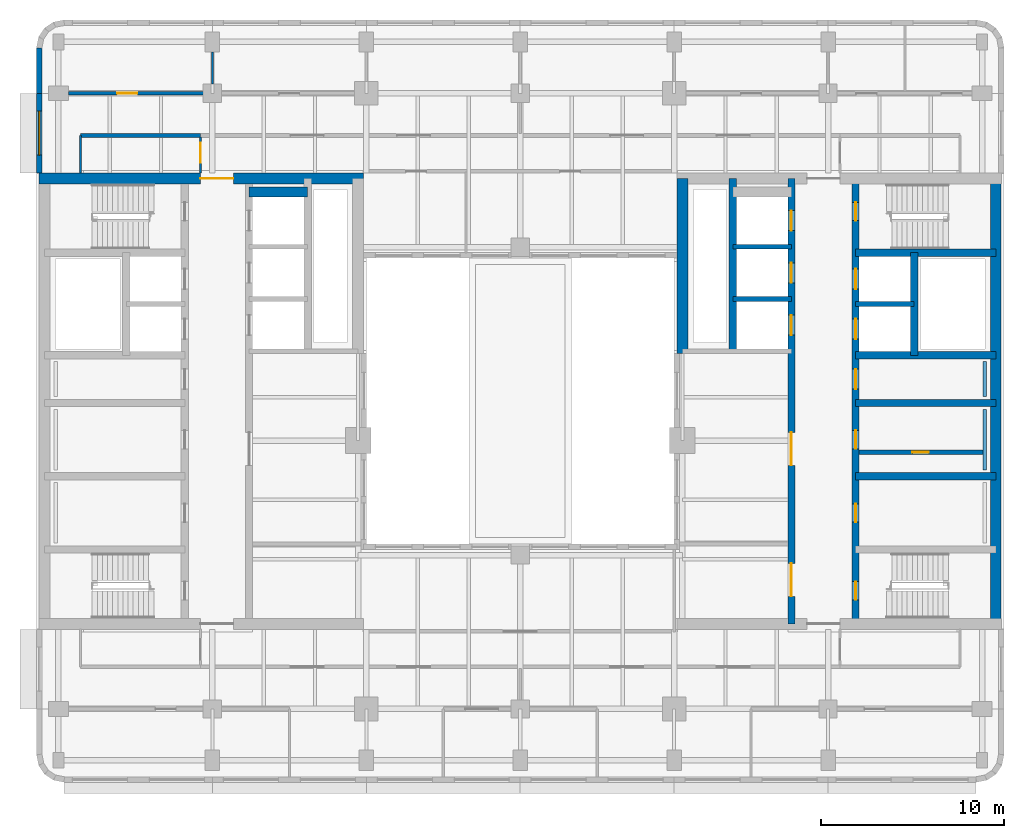
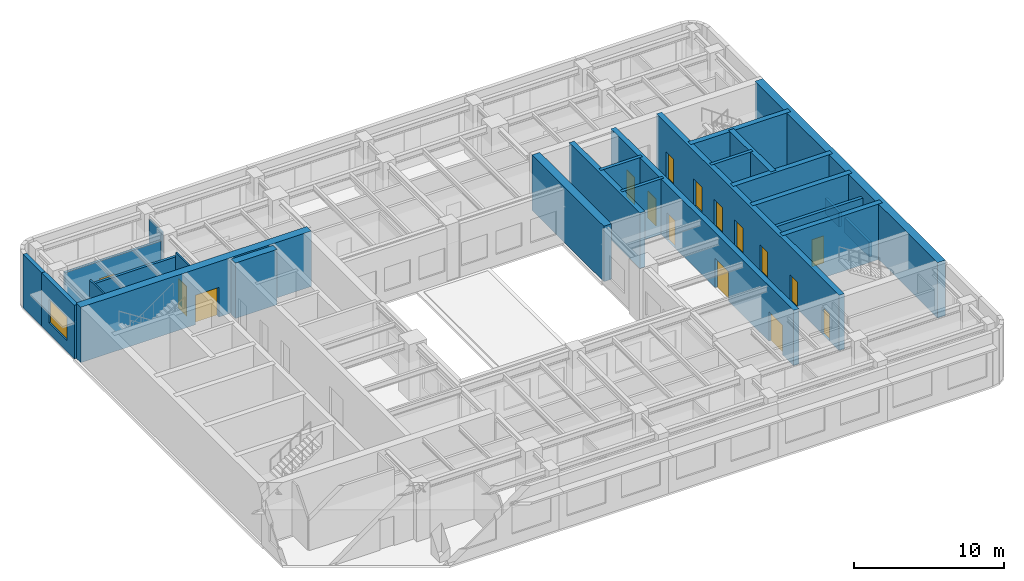
# One storey, part 6 of 11: 25 walls, 16 doors, 1 window, 17 openings.
"""IFC4 building model written with IfcOpenShell, lengths in metres."""

from ifc_helpers import new_model, si_unit, direction, frame, frame_2d, origin, place, context, subcontext, project, spatial, rectangle, extrude, material, layer, layer_set, type_object, element, fill, save


model = new_model("IFC4")

# Units and contexts
model_context = context("Model", 3, precision=1e-05, world=origin(), true_north=direction((0.0, 1.0)))
body_context = subcontext(model_context, "Body", "Model", "MODEL_VIEW")
ifc_project = project(units=[si_unit("LENGTHUNIT", "METRE"), si_unit("AREAUNIT", "SQUARE_METRE"), si_unit("VOLUMEUNIT", "CUBIC_METRE"), si_unit("PLANEANGLEUNIT", "RADIAN"), si_unit("MASSUNIT", "GRAM", prefix="KILO")], contexts=[model_context])

# Site, building, storey
site_placement = place(None, origin())
site = spatial("IfcSite", under=ifc_project, at=site_placement, CompositionType="ELEMENT")
building_placement = place(site_placement, origin())
building = spatial("IfcBuilding", under=site, at=building_placement, Name="Claustro Exchange Tower", CompositionType="ELEMENT")
storey_placement = place(building_placement, frame((0.0, 0.0, 254.699951171875)))
storey = spatial("IfcBuildingStorey", under=building, at=storey_placement, Name="L58", CompositionType="ELEMENT", Elevation=254.699951171875)

# Wall
ifc_material_1 = material(Name="Laminated glass in aluminium frame", Category="aluminium")
ifc_layer_1 = layer(ifc_material_1, 0.1201171875)
ifc_layer_set_1 = layer_set([ifc_layer_1], Name="Laminated glass in aluminium frame")
wall_type_1 = type_object("IfcWallType", Name="P2 120 glazed partition", PredefinedType="PARTITIONING", material=ifc_layer_set_1)
wall_1_placement = place(storey_placement, frame((8.39990234375, 42.4990234375, 0.0), z_axis=(0.0, 0.0, 1.0), x_axis=(0.0, 1.0, 0.0)))
element("IfcWall", 1, at=wall_1_placement, inside=storey, type_object=wall_type_1, Name="Partition P2 L58", PredefinedType="PARTITIONING", context=body_context, shape_type="SweptSolid", body=[
    extrude(rectangle(XDim=1.751953125, YDim=0.1201171875, at=frame_2d((0.8759765625, 0.0))), origin(), (0.0, 0.0, 1.0), 3.989990234375),
])

# Wall, opening, door
wall_2_placement = place(storey_placement, frame((7.75, 37.64794921875, 0.0), z_axis=(0.0, 0.0, 1.0), x_axis=(0.0, 1.0, 0.0)))
wall_2 = element("IfcWall", 2, at=wall_2_placement, inside=storey, type_object=wall_type_1, Name="Partition P2 L58", PredefinedType="PARTITIONING", context=body_context, shape_type="SweptSolid", body=[
    extrude(rectangle(XDim=1.9541015625, YDim=0.1201171875, at=frame_2d((0.97705078125, 0.0))), origin(), (0.0, 0.0, 1.0), 4.35009765625),
])
opening_1_placement = place(wall_2_placement, frame((0.552001953125, 0.0, 0.0)))
opening_1 = element("IfcOpeningElement", 3, at=opening_1_placement, cuts=wall_2, Name="Opening D8", PredefinedType="OPENING", context=body_context, shape_type="SweptSolid", body=[
    extrude(rectangle(XDim=1.10009765625, YDim=2.39990234375, at=frame_2d((0.550048828125, 1.199951171875))), frame((0.0, 0.070068359375, 0.0), z_axis=(0.0, -1.0, 0.0), x_axis=(1.0, 0.0, 0.0)), (0.0, 0.0, 1.0), 0.14013671875),
])
ifc_material_2 = material(Name="Timber door, walnut veneer", Category="wood")
door_type_1 = type_object("IfcDoorType", Name="D8 1100 x 2400 executive door", OperationType="SINGLE_SWING_LEFT", PredefinedType="DOOR", material=ifc_material_2)
door_1_placement = place(opening_1_placement, origin())
door_1 = element("IfcDoor", 4, at=door_1_placement, inside=storey, type_object=door_type_1, Name="Door D8 L58", OperationType="SINGLE_SWING_RIGHT", OverallHeight=2.39990234375, OverallWidth=1.10009765625, PredefinedType="DOOR", context=body_context, shape_type="SweptSolid", body=[
    extrude(rectangle(XDim=1.10009765625, YDim=2.39990234375, at=frame_2d((0.550048828125, 1.199951171875))), frame((0.0, 0.02490234375, 0.0), z_axis=(0.0, -1.0, 0.0), x_axis=(1.0, 0.0, 0.0)), (0.0, 0.0, 1.0), 0.050048828125),
])
fill(opening_1, door_1)

# Wall
wall_3_placement = place(storey_placement, frame((1.199951171875, 37.64794921875, 0.0), z_axis=(0.0, 0.0, 1.0), x_axis=(0.0, 1.0, 0.0)))
element("IfcWall", 5, at=wall_3_placement, inside=storey, type_object=wall_type_1, Name="Partition P2 L58", PredefinedType="PARTITIONING", context=body_context, shape_type="SweptSolid", body=[
    extrude(rectangle(XDim=2.052001953125, YDim=0.1201171875, at=frame_2d((1.02587890625, 0.0))), origin(), (0.0, 0.0, 1.0), 4.35009765625),
])

# Wall, opening, door
ifc_material_3 = material(Name="Twin-skin gypsum board on steel studs, mineral wool", Category="steel")
ifc_layer_2 = layer(ifc_material_3, 0.199951171875)
ifc_layer_set_2 = layer_set([ifc_layer_2], Name="Twin-skin gypsum board on steel studs, mineral wool")
wall_type_2 = type_object("IfcWallType", Name="P3 200 acoustic partition", PredefinedType="PARTITIONING", material=ifc_layer_set_2)
wall_4_placement = place(storey_placement, frame((0.549072265625, 42.0, 0.0), z_axis=(0.0, 0.0, 1.0), x_axis=(1.0, 0.0, 0.0)))
wall_4 = element("IfcWall", 6, at=wall_4_placement, inside=storey, type_object=wall_type_2, Name="Partition P3 L58", PredefinedType="PARTITIONING", context=body_context, shape_type="SweptSolid", body=[
    extrude(rectangle(XDim=7.351806640625, YDim=0.199951171875, at=frame_2d((3.67578125, 0.0))), origin(), (0.0, 0.0, 1.0), 3.800048828125),
])
opening_2_placement = place(wall_4_placement, frame((2.65087890625, 0.0, 0.0)))
opening_2 = element("IfcOpeningElement", 7, at=opening_2_placement, cuts=wall_4, Name="Opening D8", PredefinedType="OPENING", context=body_context, shape_type="SweptSolid", body=[
    extrude(rectangle(XDim=1.10009765625, YDim=2.39990234375, at=frame_2d((0.550048828125, 1.199951171875))), frame((0.0, 0.10986328125, 0.0), z_axis=(0.0, -1.0, 0.0), x_axis=(1.0, 0.0, 0.0)), (0.0, 0.0, 1.0), 0.219970703125),
])
door_2_placement = place(opening_2_placement, origin())
door_2 = element("IfcDoor", 8, at=door_2_placement, inside=storey, type_object=door_type_1, Name="Door D8 L58", OperationType="SINGLE_SWING_RIGHT", OverallHeight=2.39990234375, OverallWidth=1.10009765625, PredefinedType="DOOR", context=body_context, shape_type="SweptSolid", body=[
    extrude(rectangle(XDim=1.10009765625, YDim=2.39990234375, at=frame_2d((0.550048828125, 1.199951171875))), frame((0.0, 0.02490234375, 0.0), z_axis=(0.0, -1.0, 0.0), x_axis=(1.0, 0.0, 0.0)), (0.0, 0.0, 1.0), 0.050048828125),
])
fill(opening_2, door_2)

# Wall
wall_5_placement = place(storey_placement, frame((1.199951171875, 39.699951171875, 0.0), z_axis=(0.0, 0.0, 1.0), x_axis=(1.0, 0.0, 0.0)))
element("IfcWall", 9, at=wall_5_placement, inside=storey, type_object=wall_type_2, Name="Partition P3 L58", PredefinedType="PARTITIONING", context=body_context, shape_type="SweptSolid", body=[
    extrude(rectangle(XDim=6.552001953125, YDim=0.199951171875, at=frame_2d((3.27587890625, 0.0))), origin(), (0.0, 0.0, 1.0), 3.989990234375),
])

# Wall, opening, door
ifc_material_4 = material(Name="Concrete blockwork, rendered", Category="masonry")
ifc_layer_3 = layer(ifc_material_4, 0.25)
ifc_layer_set_3 = layer_set([ifc_layer_3], Name="Concrete blockwork, rendered")
wall_type_3 = type_object("IfcWallType", Name="P4 250 blockwork wall", PredefinedType="PARTITIONING", material=ifc_layer_set_3)
wall_6_placement = place(storey_placement, frame((43.699951171875, 22.39990234375, 0.0), z_axis=(0.0, 0.0, 1.0), x_axis=(1.0, 0.0, 0.0)))
wall_6 = element("IfcWall", 10, at=wall_6_placement, inside=storey, type_object=wall_type_3, Name="Partition P4 L58", PredefinedType="PARTITIONING", context=body_context, shape_type="SweptSolid", body=[
    extrude(rectangle(XDim=6.75, YDim=0.25, at=frame_2d((3.375, 0.0))), origin(), (0.0, 0.0, 1.0), 4.300048828125),
])
opening_3_placement = place(wall_6_placement, frame((2.89990234375, 0.0, 0.0)))
opening_3 = element("IfcOpeningElement", 11, at=opening_3_placement, cuts=wall_6, Name="Opening D5", PredefinedType="OPENING", context=body_context, shape_type="SweptSolid", body=[
    extrude(rectangle(XDim=0.89990234375, YDim=2.199951171875, at=frame_2d((0.449951171875, 1.10009765625))), frame((0.0, 0.135009765625, 0.0), z_axis=(0.0, -1.0, 0.0), x_axis=(1.0, 0.0, 0.0)), (0.0, 0.0, 1.0), 0.27001953125),
])
ifc_material_5 = material(Name="Steel door, painted", Category="steel")
door_type_2 = type_object("IfcDoorType", Name="D5 900 x 2200 store door", OperationType="SINGLE_SWING_LEFT", PredefinedType="DOOR", material=ifc_material_5)
door_3_placement = place(opening_3_placement, frame((0.89990234375, 0.0, 0.0), z_axis=(0.0, 0.0, 1.0), x_axis=(-1.0, 0.0, 0.0)))
door_3 = element("IfcDoor", 12, at=door_3_placement, inside=storey, type_object=door_type_2, Name="Store door D5 L58", OperationType="SINGLE_SWING_LEFT", OverallHeight=2.199951171875, OverallWidth=0.89990234375, PredefinedType="DOOR", context=body_context, shape_type="SweptSolid", body=[
    extrude(rectangle(XDim=0.89990234375, YDim=2.199951171875, at=frame_2d((0.449951171875, 1.10009765625))), frame((0.0, 0.02490234375, 0.0), z_axis=(0.0, -1.0, 0.0), x_axis=(1.0, 0.0, 0.0)), (0.0, 0.0, 1.0), 0.050048828125),
])
fill(opening_3, door_3)

# Wall, opening, window
ifc_material_6 = material(Name="Concrete HA-40 (C40/50), precast, white cement, acid-etched", Category="concrete")
ifc_layer_4 = layer(ifc_material_6, 0.300048828125)
ifc_layer_set_4 = layer_set([ifc_layer_4], Name="Concrete HA-40 (C40/50), precast, white cement, acid-etched")
wall_type_4 = type_object("IfcWallType", Name="PC1 300 precast concrete pier panel", PredefinedType="SOLIDWALL", material=ifc_layer_set_4)
wall_7_placement = place(storey_placement, frame((-1.050048828125, 37.64990234375, 0.0), z_axis=(0.0, 0.0, 1.0), x_axis=(0.0, 1.0, 0.0)))
wall_7 = element("IfcWall", 13, at=wall_7_placement, inside=storey, type_object=wall_type_4, Name="Precast pier panel PC1 L58", PredefinedType="SOLIDWALL", context=body_context, shape_type="SweptSolid", body=[
    extrude(rectangle(XDim=4.35009765625, YDim=0.300048828125, at=frame_2d((2.175048828125, 0.0))), origin(), (0.0, 0.0, 1.0), 4.35009765625),
])
opening_4_placement = place(wall_7_placement, frame((0.97509765625, 0.0, 0.89990234375)))
opening_4 = element("IfcOpeningElement", 14, at=opening_4_placement, cuts=wall_7, Name="Opening W2", PredefinedType="OPENING", context=body_context, shape_type="SweptSolid", body=[
    extrude(rectangle(XDim=2.39990234375, YDim=1.89990234375, at=frame_2d((1.199951171875, 0.949951171875))), frame((0.0, 0.159912109375, 0.0), z_axis=(0.0, -1.0, 0.0), x_axis=(1.0, 0.0, 0.0)), (0.0, 0.0, 1.0), 0.320068359375),
])
ifc_material_7 = material(Name="Aluminium frame, clear double glazing", Category="aluminium")
window_type = type_object("IfcWindowType", Name="W2 2400 x 1900 window", PartitioningType="SINGLE_PANEL", PredefinedType="WINDOW", material=ifc_material_7)
window_placement = place(opening_4_placement, origin())
window = element("IfcWindow", 15, at=window_placement, inside=storey, type_object=window_type, Name="Window W2 L58", OverallHeight=1.89990234375, OverallWidth=2.39990234375, PartitioningType="SINGLE_PANEL", PredefinedType="WINDOW", context=body_context, shape_type="SweptSolid", body=[
    extrude(rectangle(XDim=2.39990234375, YDim=1.89990234375, at=frame_2d((1.199951171875, 0.949951171875))), frame((0.0, 0.030029296875, 0.0), z_axis=(0.0, -1.0, 0.0), x_axis=(1.0, 0.0, 0.0)), (0.0, 0.0, 1.0), 0.06005859375),
])
fill(opening_4, window)

# Walls
wall_8_placement = place(storey_placement, frame((-1.050048828125, 42.0, 0.0), z_axis=(0.0, 0.0, 1.0), x_axis=(0.0, 1.0, 0.0)))
element("IfcWall", 16, at=wall_8_placement, inside=storey, type_object=wall_type_4, Name="Precast pier panel PC1 L58", PredefinedType="SOLIDWALL", context=body_context, shape_type="SweptSolid", body=[
    extrude(rectangle(XDim=2.485107421875, YDim=0.300048828125, at=frame_2d((1.24267578125, 0.0))), origin(), (0.0, 0.0, 1.0), 4.35009765625),
])
ifc_material_8 = material(Name="Gypsum board on steel studs, tiled", Category="steel")
ifc_layer_5 = layer(ifc_material_8, 0.199951171875)
ifc_layer_set_5 = layer_set([ifc_layer_5], Name="Gypsum board on steel studs, tiled")
wall_type_5 = type_object("IfcWallType", Name="PW1 200 WC duct wall", PredefinedType="PLUMBINGWALL", material=ifc_layer_set_5)
wall_9_placement = place(storey_placement, frame((50.550048828125, 21.449951171875, 0.0), z_axis=(0.0, 0.0, 1.0), x_axis=(0.0, 1.0, 0.0)))
element("IfcWall", 17, at=wall_9_placement, inside=storey, type_object=wall_type_5, Name="WC duct wall PW1 L58", PredefinedType="PLUMBINGWALL", context=body_context, shape_type="SweptSolid", body=[
    extrude(rectangle(XDim=3.300048828125, YDim=0.199951171875, at=frame_2d((1.64990234375, 0.0))), origin(), (0.0, 0.0, 1.0), 1.199951171875),
])
wall_10_placement = place(storey_placement, frame((50.550048828125, 25.449951171875, 0.0), z_axis=(0.0, 0.0, 1.0), x_axis=(0.0, 1.0, 0.0)))
element("IfcWall", 18, at=wall_10_placement, inside=storey, type_object=wall_type_5, Name="WC duct wall PW1 L58", PredefinedType="PLUMBINGWALL", context=body_context, shape_type="SweptSolid", body=[
    extrude(rectangle(XDim=1.900146484375, YDim=0.199951171875, at=frame_2d((0.9501953125, 0.0))), origin(), (0.0, 0.0, 1.0), 1.199951171875),
])

# Wall, opening, door
ifc_material_9 = material(Name="Concrete HA-50 (C50/60)", Category="concrete")
ifc_layer_6 = layer(ifc_material_9, 0.60009765625)
ifc_layer_set_6 = layer_set([ifc_layer_6], Name="Concrete HA-50 (C50/60)")
wall_type_6 = type_object("IfcWallType", Name="SW3 600 core shear wall", PredefinedType="SHEAR", material=ifc_layer_set_6)
wall_11_placement = place(storey_placement, frame((-1.050048828125, 37.35009765625, 0.0), z_axis=(0.0, 0.0, 1.0), x_axis=(1.0, 0.0, 0.0)))
wall_11 = element("IfcWall", 19, at=wall_11_placement, inside=storey, type_object=wall_type_6, Name="Core wall SW3 W core N face L58", PredefinedType="SHEAR", context=body_context, shape_type="SweptSolid", body=[
    extrude(rectangle(XDim=17.699951171875, YDim=0.60009765625, at=frame_2d((8.85009765625, 0.0))), origin(), (0.0, 0.0, 1.0), 4.5),
])
opening_5_placement = place(wall_11_placement, frame((8.800048828125, 0.0, 0.0)))
opening_5 = element("IfcOpeningElement", 20, at=opening_5_placement, cuts=wall_11, Name="Opening D3", PredefinedType="OPENING", context=body_context, shape_type="SweptSolid", body=[
    extrude(rectangle(XDim=1.800048828125, YDim=2.39990234375, at=frame_2d((0.89990234375, 1.199951171875))), frame((0.0, 0.31005859375, 0.0), z_axis=(0.0, -1.0, 0.0), x_axis=(1.0, 0.0, 0.0)), (0.0, 0.0, 1.0), 0.6201171875),
])
ifc_material_10 = material(Name="Steel fire door, painted", Category="steel")
door_type_3 = type_object("IfcDoorType", Name="D3 1800 x 2400 fire-rated lobby double door", OperationType="DOUBLE_DOOR_SINGLE_SWING", PredefinedType="DOOR", material=ifc_material_10)
door_4_placement = place(opening_5_placement, origin())
door_4 = element("IfcDoor", 21, at=door_4_placement, inside=storey, type_object=door_type_3, Name="Lift lobby door D3 L58", OperationType="DOUBLE_DOOR_SINGLE_SWING", OverallHeight=2.39990234375, OverallWidth=1.800048828125, PredefinedType="DOOR", context=body_context, shape_type="SweptSolid", body=[
    extrude(rectangle(XDim=1.800048828125, YDim=2.39990234375, at=frame_2d((0.89990234375, 1.199951171875))), frame((0.0, 0.02490234375, 0.0), z_axis=(0.0, -1.0, 0.0), x_axis=(1.0, 0.0, 0.0)), (0.0, 0.0, 1.0), 0.050048828125),
])
fill(opening_5, door_4)

# Walls
ifc_material_11 = material(Name="Concrete HA-50 (C50/60)", Category="concrete")
ifc_layer_7 = layer(ifc_material_11, 0.60009765625)
ifc_layer_set_7 = layer_set([ifc_layer_7], Name="Concrete HA-50 (C50/60)")
wall_type_7 = type_object("IfcWallType", Name="SW3X 600 exposed core shear wall, board-marked face", PredefinedType="SHEAR", material=ifc_layer_set_7)
wall_12_placement = place(storey_placement, frame((34.050048828125, 27.800048828125, 0.0), z_axis=(0.0, 0.0, 1.0), x_axis=(0.0, 1.0, 0.0)))
element("IfcWall", 22, at=wall_12_placement, inside=storey, type_object=wall_type_7, Name="Core wall SW3X E core W face L58", PredefinedType="SHEAR", context=body_context, shape_type="SweptSolid", body=[
    extrude(rectangle(XDim=9.550048828125, YDim=0.60009765625, at=frame_2d((4.77490234375, 0.0))), origin(), (0.0, 0.0, 1.0), 4.5),
])
wall_13_placement = place(storey_placement, frame((51.14990234375, 13.050048828125, 0.0), z_axis=(0.0, 0.0, 1.0), x_axis=(0.0, 1.0, 0.0)))
element("IfcWall", 23, at=wall_13_placement, inside=storey, type_object=wall_type_7, Name="Core wall SW3X E core E face L58", PredefinedType="SHEAR", context=body_context, shape_type="SweptSolid", body=[
    extrude(rectangle(XDim=24.300048828125, YDim=0.60009765625, at=frame_2d((12.14990234375, 0.0))), origin(), (0.0, 0.0, 1.0), 4.5),
])

# Wall, openings, doors
ifc_material_12 = material(Name="Concrete HA-50 (C50/60)", Category="concrete")
ifc_layer_8 = layer(ifc_material_12, 0.39990234375)
ifc_layer_set_8 = layer_set([ifc_layer_8], Name="Concrete HA-50 (C50/60)")
wall_type_8 = type_object("IfcWallType", Name="SW4 400 internal core wall", PredefinedType="SHEAR", material=ifc_layer_set_8)
wall_14_placement = place(storey_placement, frame((43.5, 13.050048828125, 0.0), z_axis=(0.0, 0.0, 1.0), x_axis=(0.0, 1.0, 0.0)))
wall_14 = element("IfcWall", 24, at=wall_14_placement, inside=storey, type_object=wall_type_8, Name="Internal core wall SW4 E core L58", PredefinedType="SHEAR", context=body_context, shape_type="SweptSolid", body=[
    extrude(rectangle(XDim=24.300048828125, YDim=0.39990234375, at=frame_2d((12.14990234375, 0.0))), origin(), (0.0, 0.0, 1.0), 4.5),
])
opening_6_placement = place(wall_14_placement, frame((1.300048828125, 0.0, 0.0)))
opening_6 = element("IfcOpeningElement", 25, at=opening_6_placement, cuts=wall_14, Name="Opening D4", PredefinedType="OPENING", context=body_context, shape_type="SweptSolid", body=[
    extrude(rectangle(XDim=1.0, YDim=2.199951171875, at=frame_2d((0.5, 1.10009765625))), frame((0.0, 0.2099609375, 0.0), z_axis=(0.0, -1.0, 0.0), x_axis=(1.0, 0.0, 0.0)), (0.0, 0.0, 1.0), 0.419921875),
])
opening_7_placement = place(wall_14_placement, frame((22.0, 0.0, 0.0)))
opening_7 = element("IfcOpeningElement", 26, at=opening_7_placement, cuts=wall_14, Name="Opening D4", PredefinedType="OPENING", context=body_context, shape_type="SweptSolid", body=[
    extrude(rectangle(XDim=1.0, YDim=2.199951171875, at=frame_2d((0.5, 1.10009765625))), frame((0.0, 0.2099609375, 0.0), z_axis=(0.0, -1.0, 0.0), x_axis=(1.0, 0.0, 0.0)), (0.0, 0.0, 1.0), 0.419921875),
])
opening_8_placement = place(wall_14_placement, frame((5.550048828125, 0.0, 0.0)))
opening_8 = element("IfcOpeningElement", 27, at=opening_8_placement, cuts=wall_14, Name="Opening D1", PredefinedType="OPENING", context=body_context, shape_type="SweptSolid", body=[
    extrude(rectangle(XDim=1.0, YDim=2.199951171875, at=frame_2d((0.5, 1.10009765625))), frame((0.0, 0.2099609375, 0.0), z_axis=(0.0, -1.0, 0.0), x_axis=(1.0, 0.0, 0.0)), (0.0, 0.0, 1.0), 0.419921875),
])
opening_9_placement = place(wall_14_placement, frame((9.550048828125, 0.0, 0.0)))
opening_9 = element("IfcOpeningElement", 28, at=opening_9_placement, cuts=wall_14, Name="Opening D1", PredefinedType="OPENING", context=body_context, shape_type="SweptSolid", body=[
    extrude(rectangle(XDim=1.0, YDim=2.199951171875, at=frame_2d((0.5, 1.10009765625))), frame((0.0, 0.2099609375, 0.0), z_axis=(0.0, -1.0, 0.0), x_axis=(1.0, 0.0, 0.0)), (0.0, 0.0, 1.0), 0.419921875),
])
opening_10_placement = place(wall_14_placement, frame((12.800048828125, 0.0, 0.0)))
opening_10 = element("IfcOpeningElement", 29, at=opening_10_placement, cuts=wall_14, Name="Opening D10", PredefinedType="OPENING", context=body_context, shape_type="SweptSolid", body=[
    extrude(rectangle(XDim=1.10009765625, YDim=2.199951171875, at=frame_2d((0.550048828125, 1.10009765625))), frame((0.0, 0.2099609375, 0.0), z_axis=(0.0, -1.0, 0.0), x_axis=(1.0, 0.0, 0.0)), (0.0, 0.0, 1.0), 0.419921875),
])
opening_11_placement = place(wall_14_placement, frame((15.53759765625, 0.0, 0.0)))
opening_11 = element("IfcOpeningElement", 30, at=opening_11_placement, cuts=wall_14, Name="Opening LD", PredefinedType="OPENING", context=body_context, shape_type="SweptSolid", body=[
    extrude(rectangle(XDim=1.10009765625, YDim=2.199951171875, at=frame_2d((0.550048828125, 1.10009765625))), frame((0.0, 0.2099609375, 0.0), z_axis=(0.0, -1.0, 0.0), x_axis=(1.0, 0.0, 0.0)), (0.0, 0.0, 1.0), 0.419921875),
])
opening_12_placement = place(wall_14_placement, frame((18.262451171875, 0.0, 0.0)))
opening_12 = element("IfcOpeningElement", 31, at=opening_12_placement, cuts=wall_14, Name="Opening LD", PredefinedType="OPENING", context=body_context, shape_type="SweptSolid", body=[
    extrude(rectangle(XDim=1.10009765625, YDim=2.199951171875, at=frame_2d((0.550048828125, 1.10009765625))), frame((0.0, 0.2099609375, 0.0), z_axis=(0.0, -1.0, 0.0), x_axis=(1.0, 0.0, 0.0)), (0.0, 0.0, 1.0), 0.419921875),
])
ifc_material_13 = material(Name="Timber door, oak veneer", Category="wood")
door_type_4 = type_object("IfcDoorType", Name="D1 1000 x 2200 single door", OperationType="SINGLE_SWING_LEFT", PredefinedType="DOOR", material=ifc_material_13)
door_5_placement = place(opening_8_placement, frame((1.0, 0.0, 0.0), z_axis=(0.0, 0.0, 1.0), x_axis=(-1.0, 0.0, 0.0)))
door_5 = element("IfcDoor", 32, at=door_5_placement, inside=storey, type_object=door_type_4, Name="Door D1 L58", OperationType="SINGLE_SWING_LEFT", OverallHeight=2.199951171875, OverallWidth=1.0, PredefinedType="DOOR", context=body_context, shape_type="SweptSolid", body=[
    extrude(rectangle(XDim=1.0, YDim=2.199951171875, at=frame_2d((0.5, 1.10009765625))), frame((0.0, 0.02490234375, 0.0), z_axis=(0.0, -1.0, 0.0), x_axis=(1.0, 0.0, 0.0)), (0.0, 0.0, 1.0), 0.050048828125),
])
fill(opening_8, door_5)
door_6_placement = place(opening_9_placement, frame((1.0, 0.0, 0.0), z_axis=(0.0, 0.0, 1.0), x_axis=(-1.0, 0.0, 0.0)))
door_6 = element("IfcDoor", 33, at=door_6_placement, inside=storey, type_object=door_type_4, Name="Door D1 L58", OperationType="SINGLE_SWING_RIGHT", OverallHeight=2.199951171875, OverallWidth=1.0, PredefinedType="DOOR", context=body_context, shape_type="SweptSolid", body=[
    extrude(rectangle(XDim=1.0, YDim=2.199951171875, at=frame_2d((0.5, 1.10009765625))), frame((0.0, 0.02490234375, 0.0), z_axis=(0.0, -1.0, 0.0), x_axis=(1.0, 0.0, 0.0)), (0.0, 0.0, 1.0), 0.050048828125),
])
fill(opening_9, door_6)
ifc_material_14 = material(Name="Timber door, oak veneer", Category="wood")
door_type_5 = type_object("IfcDoorType", Name="D10 1100 x 2200 accessible WC door", OperationType="SINGLE_SWING_LEFT", PredefinedType="DOOR", material=ifc_material_14)
door_7_placement = place(opening_10_placement, origin())
door_7 = element("IfcDoor", 34, at=door_7_placement, inside=storey, type_object=door_type_5, Name="Accessible WC door D10 L58", OperationType="SINGLE_SWING_RIGHT", OverallHeight=2.199951171875, OverallWidth=1.10009765625, PredefinedType="DOOR", context=body_context, shape_type="SweptSolid", body=[
    extrude(rectangle(XDim=1.10009765625, YDim=2.199951171875, at=frame_2d((0.550048828125, 1.10009765625))), frame((0.0, 0.02490234375, 0.0), z_axis=(0.0, -1.0, 0.0), x_axis=(1.0, 0.0, 0.0)), (0.0, 0.0, 1.0), 0.050048828125),
])
fill(opening_10, door_7)
ifc_material_15 = material(Name="Steel fire door, painted", Category="steel")
door_type_6 = type_object("IfcDoorType", Name="D4 1000 x 2200 fire-rated stair door", OperationType="SINGLE_SWING_LEFT", PredefinedType="DOOR", material=ifc_material_15)
door_8_placement = place(opening_6_placement, frame((1.0, 0.0, 0.0), z_axis=(0.0, 0.0, 1.0), x_axis=(-1.0, 0.0, 0.0)))
door_8 = element("IfcDoor", 35, at=door_8_placement, inside=storey, type_object=door_type_6, Name="Stair door D4 L58", OperationType="SINGLE_SWING_RIGHT", OverallHeight=2.199951171875, OverallWidth=1.0, PredefinedType="DOOR", context=body_context, shape_type="SweptSolid", body=[
    extrude(rectangle(XDim=1.0, YDim=2.199951171875, at=frame_2d((0.5, 1.10009765625))), frame((0.0, 0.02490234375, 0.0), z_axis=(0.0, -1.0, 0.0), x_axis=(1.0, 0.0, 0.0)), (0.0, 0.0, 1.0), 0.050048828125),
])
fill(opening_6, door_8)
door_9_placement = place(opening_7_placement, frame((1.0, 0.0, 0.0), z_axis=(0.0, 0.0, 1.0), x_axis=(-1.0, 0.0, 0.0)))
door_9 = element("IfcDoor", 36, at=door_9_placement, inside=storey, type_object=door_type_6, Name="Stair door D4 L58", OperationType="SINGLE_SWING_LEFT", OverallHeight=2.199951171875, OverallWidth=1.0, PredefinedType="DOOR", context=body_context, shape_type="SweptSolid", body=[
    extrude(rectangle(XDim=1.0, YDim=2.199951171875, at=frame_2d((0.5, 1.10009765625))), frame((0.0, 0.02490234375, 0.0), z_axis=(0.0, -1.0, 0.0), x_axis=(1.0, 0.0, 0.0)), (0.0, 0.0, 1.0), 0.050048828125),
])
fill(opening_7, door_9)
ifc_material_16 = material(Name="Stainless steel sliding door", Category="steel")
door_type_7 = type_object("IfcDoorType", Name="LD 1100 x 2200 lift landing door", OperationType="DOUBLE_DOOR_SLIDING", PredefinedType="DOOR", material=ifc_material_16)
door_10_placement = place(opening_11_placement, origin())
door_10 = element("IfcDoor", 37, at=door_10_placement, inside=storey, type_object=door_type_7, Name="Lift landing door LEE1 LD L58", OperationType="DOUBLE_DOOR_SLIDING", OverallHeight=2.199951171875, OverallWidth=1.10009765625, PredefinedType="DOOR", context=body_context, shape_type="SweptSolid", body=[
    extrude(rectangle(XDim=1.10009765625, YDim=2.199951171875, at=frame_2d((0.550048828125, 1.10009765625))), frame((0.0, 0.02490234375, 0.0), z_axis=(0.0, -1.0, 0.0), x_axis=(1.0, 0.0, 0.0)), (0.0, 0.0, 1.0), 0.050048828125),
])
fill(opening_11, door_10)
door_11_placement = place(opening_12_placement, origin())
door_11 = element("IfcDoor", 38, at=door_11_placement, inside=storey, type_object=door_type_7, Name="Lift landing door LEE2 LD L58", OperationType="DOUBLE_DOOR_SLIDING", OverallHeight=2.199951171875, OverallWidth=1.10009765625, PredefinedType="DOOR", context=body_context, shape_type="SweptSolid", body=[
    extrude(rectangle(XDim=1.10009765625, YDim=2.199951171875, at=frame_2d((0.550048828125, 1.10009765625))), frame((0.0, 0.02490234375, 0.0), z_axis=(0.0, -1.0, 0.0), x_axis=(1.0, 0.0, 0.0)), (0.0, 0.0, 1.0), 0.050048828125),
])
fill(opening_12, door_11)

wall_15_placement = place(storey_placement, frame((40.0, 13.050048828125, 0.0), z_axis=(0.0, 0.0, 1.0), x_axis=(0.0, 1.0, 0.0)))
wall_15 = element("IfcWall", 39, at=wall_15_placement, inside=storey, type_object=wall_type_8, Name="Internal core wall SW4 E core L58", PredefinedType="SHEAR", context=body_context, shape_type="SweptSolid", body=[
    extrude(rectangle(XDim=24.300048828125, YDim=0.39990234375, at=frame_2d((12.14990234375, 0.0))), origin(), (0.0, 0.0, 1.0), 4.5),
])
opening_13_placement = place(wall_15_placement, frame((15.75, 0.0, 0.0)))
opening_13 = element("IfcOpeningElement", 40, at=opening_13_placement, cuts=wall_15, Name="Opening LD", PredefinedType="OPENING", context=body_context, shape_type="SweptSolid", body=[
    extrude(rectangle(XDim=1.10009765625, YDim=2.199951171875, at=frame_2d((0.550048828125, 1.10009765625))), frame((0.0, 0.2099609375, 0.0), z_axis=(0.0, -1.0, 0.0), x_axis=(1.0, 0.0, 0.0)), (0.0, 0.0, 1.0), 0.419921875),
])
opening_14_placement = place(wall_15_placement, frame((18.60009765625, 0.0, 0.0)))
opening_14 = element("IfcOpeningElement", 41, at=opening_14_placement, cuts=wall_15, Name="Opening LD", PredefinedType="OPENING", context=body_context, shape_type="SweptSolid", body=[
    extrude(rectangle(XDim=1.10009765625, YDim=2.199951171875, at=frame_2d((0.550048828125, 1.10009765625))), frame((0.0, 0.2099609375, 0.0), z_axis=(0.0, -1.0, 0.0), x_axis=(1.0, 0.0, 0.0)), (0.0, 0.0, 1.0), 0.419921875),
])
opening_15_placement = place(wall_15_placement, frame((21.449951171875, 0.0, 0.0)))
opening_15 = element("IfcOpeningElement", 42, at=opening_15_placement, cuts=wall_15, Name="Opening LD", PredefinedType="OPENING", context=body_context, shape_type="SweptSolid", body=[
    extrude(rectangle(XDim=1.10009765625, YDim=2.199951171875, at=frame_2d((0.550048828125, 1.10009765625))), frame((0.0, 0.2099609375, 0.0), z_axis=(0.0, -1.0, 0.0), x_axis=(1.0, 0.0, 0.0)), (0.0, 0.0, 1.0), 0.419921875),
])
opening_16_placement = place(wall_15_placement, frame((8.64990234375, 0.0, 0.0)))
opening_16 = element("IfcOpeningElement", 43, at=opening_16_placement, cuts=wall_15, Name="Opening D3", PredefinedType="OPENING", context=body_context, shape_type="SweptSolid", body=[
    extrude(rectangle(XDim=1.800048828125, YDim=2.39990234375, at=frame_2d((0.89990234375, 1.199951171875))), frame((0.0, 0.2099609375, 0.0), z_axis=(0.0, -1.0, 0.0), x_axis=(1.0, 0.0, 0.0)), (0.0, 0.0, 1.0), 0.419921875),
])
opening_17_placement = place(wall_15_placement, frame((1.5, 0.0, 0.0)))
opening_17 = element("IfcOpeningElement", 44, at=opening_17_placement, cuts=wall_15, Name="Opening D3", PredefinedType="OPENING", context=body_context, shape_type="SweptSolid", body=[
    extrude(rectangle(XDim=1.800048828125, YDim=2.39990234375, at=frame_2d((0.89990234375, 1.199951171875))), frame((0.0, 0.2099609375, 0.0), z_axis=(0.0, -1.0, 0.0), x_axis=(1.0, 0.0, 0.0)), (0.0, 0.0, 1.0), 0.419921875),
])
door_12_placement = place(opening_16_placement, origin())
door_12 = element("IfcDoor", 45, at=door_12_placement, inside=storey, type_object=door_type_3, Name="Core zone door D3 L58", OperationType="DOUBLE_DOOR_SINGLE_SWING", OverallHeight=2.39990234375, OverallWidth=1.800048828125, PredefinedType="DOOR", context=body_context, shape_type="SweptSolid", body=[
    extrude(rectangle(XDim=1.800048828125, YDim=2.39990234375, at=frame_2d((0.89990234375, 1.199951171875))), frame((0.0, 0.02490234375, 0.0), z_axis=(0.0, -1.0, 0.0), x_axis=(1.0, 0.0, 0.0)), (0.0, 0.0, 1.0), 0.050048828125),
])
fill(opening_16, door_12)
door_13_placement = place(opening_17_placement, origin())
door_13 = element("IfcDoor", 46, at=door_13_placement, inside=storey, type_object=door_type_3, Name="Core zone door D3 L58", OperationType="DOUBLE_DOOR_SINGLE_SWING", OverallHeight=2.39990234375, OverallWidth=1.800048828125, PredefinedType="DOOR", context=body_context, shape_type="SweptSolid", body=[
    extrude(rectangle(XDim=1.800048828125, YDim=2.39990234375, at=frame_2d((0.89990234375, 1.199951171875))), frame((0.0, 0.02490234375, 0.0), z_axis=(0.0, -1.0, 0.0), x_axis=(1.0, 0.0, 0.0)), (0.0, 0.0, 1.0), 0.050048828125),
])
fill(opening_17, door_13)
door_14_placement = place(opening_13_placement, origin())
door_14 = element("IfcDoor", 47, at=door_14_placement, inside=storey, type_object=door_type_7, Name="Lift landing door LHE1 LD L58", OperationType="DOUBLE_DOOR_SLIDING", OverallHeight=2.199951171875, OverallWidth=1.10009765625, PredefinedType="DOOR", context=body_context, shape_type="SweptSolid", body=[
    extrude(rectangle(XDim=1.10009765625, YDim=2.199951171875, at=frame_2d((0.550048828125, 1.10009765625))), frame((0.0, 0.02490234375, 0.0), z_axis=(0.0, -1.0, 0.0), x_axis=(1.0, 0.0, 0.0)), (0.0, 0.0, 1.0), 0.050048828125),
])
fill(opening_13, door_14)
door_15_placement = place(opening_14_placement, origin())
door_15 = element("IfcDoor", 48, at=door_15_placement, inside=storey, type_object=door_type_7, Name="Lift landing door LHE2 LD L58", OperationType="DOUBLE_DOOR_SLIDING", OverallHeight=2.199951171875, OverallWidth=1.10009765625, PredefinedType="DOOR", context=body_context, shape_type="SweptSolid", body=[
    extrude(rectangle(XDim=1.10009765625, YDim=2.199951171875, at=frame_2d((0.550048828125, 1.10009765625))), frame((0.0, 0.02490234375, 0.0), z_axis=(0.0, -1.0, 0.0), x_axis=(1.0, 0.0, 0.0)), (0.0, 0.0, 1.0), 0.050048828125),
])
fill(opening_14, door_15)
door_16_placement = place(opening_15_placement, origin())
door_16 = element("IfcDoor", 49, at=door_16_placement, inside=storey, type_object=door_type_7, Name="Lift landing door LSE1 LD L58", OperationType="DOUBLE_DOOR_SLIDING", OverallHeight=2.199951171875, OverallWidth=1.10009765625, PredefinedType="DOOR", context=body_context, shape_type="SweptSolid", body=[
    extrude(rectangle(XDim=1.10009765625, YDim=2.199951171875, at=frame_2d((0.550048828125, 1.10009765625))), frame((0.0, 0.02490234375, 0.0), z_axis=(0.0, -1.0, 0.0), x_axis=(1.0, 0.0, 0.0)), (0.0, 0.0, 1.0), 0.050048828125),
])
fill(opening_15, door_16)

# Walls
wall_16_placement = place(storey_placement, frame((36.800048828125, 27.925048828125, 0.0), z_axis=(0.0, 0.0, 1.0), x_axis=(0.0, 1.0, 0.0)))
element("IfcWall", 50, at=wall_16_placement, inside=storey, type_object=wall_type_8, Name="Internal core wall SW4 E core L58", PredefinedType="SHEAR", context=body_context, shape_type="SweptSolid", body=[
    extrude(rectangle(XDim=9.425048828125, YDim=0.39990234375, at=frame_2d((4.71240234375, 0.0))), origin(), (0.0, 0.0, 1.0), 4.5),
])
for number, where, z_axis, x_axis, name in (
    (51, (51.14990234375, 21.10009765625, 0.0), (0.0, 0.0, 1.0), (-1.0, 0.0, 0.0), "Internal core wall SW4 E core L58"),
    (52, (51.14990234375, 25.10009765625, 0.0), (0.0, 0.0, 1.0), (-1.0, 0.0, 0.0), "Internal core wall SW4 E core L58"),
    (53, (51.14990234375, 27.699951171875, 0.0), (0.0, 0.0, 1.0), (-1.0, 0.0, 0.0), "Internal core wall SW4 E core L58"),
    (54, (51.14990234375, 33.300048828125, 0.0), (0.0, 0.0, 1.0), (-1.0, 0.0, 0.0), "Internal core wall SW4 E core L58"),
):
    element("IfcWall", number, at=place(storey_placement, frame(where, z_axis=z_axis, x_axis=x_axis)), inside=storey, type_object=wall_type_8, Name=name, PredefinedType="SHEAR", context=body_context, shape_type="SweptSolid", body=[
        extrude(rectangle(XDim=7.64990234375, YDim=0.39990234375, at=frame_2d((3.824951171875, 0.0))), origin(), (0.0, 0.0, 1.0), 4.5),
    ])
wall_17_placement = place(storey_placement, frame((46.699951171875, 27.699951171875, 0.0), z_axis=(0.0, 0.0, 1.0), x_axis=(0.0, 1.0, 0.0)))
element("IfcWall", 55, at=wall_17_placement, inside=storey, type_object=wall_type_8, Name="Internal core wall SW4 E core L58", PredefinedType="SHEAR", context=body_context, shape_type="SweptSolid", body=[
    extrude(rectangle(XDim=5.60009765625, YDim=0.39990234375, at=frame_2d((2.800048828125, 0.0))), origin(), (0.0, 0.0, 1.0), 4.5),
])
ifc_material_17 = material(Name="Concrete HA-50 (C50/60)", Category="concrete")
ifc_layer_9 = layer(ifc_material_17, 0.25)
ifc_layer_set_9 = layer_set([ifc_layer_9], Name="Concrete HA-50 (C50/60)")
wall_type_9 = type_object("IfcWallType", Name="SW5 250 lift shaft divider wall", PredefinedType="SHEAR", material=ifc_layer_set_9)
for number, where, z_axis, x_axis, name in (
    (56, (46.699951171875, 30.5, 0.0), (0.0, 0.0, 1.0), (-1.0, 0.0, 0.0), "Lift shaft wall E core L58"),
    (57, (40.0, 30.77490234375, 0.0), (0.0, 0.0, 1.0), (-1.0, 0.0, 0.0), "Lift shaft wall E core L58"),
    (58, (40.0, 33.625, 0.0), (0.0, 0.0, 1.0), (-1.0, 0.0, 0.0), "Lift shaft wall E core L58"),
):
    element("IfcWall", number, at=place(storey_placement, frame(where, z_axis=z_axis, x_axis=x_axis)), inside=storey, type_object=wall_type_9, Name=name, PredefinedType="SHEAR", context=body_context, shape_type="SweptSolid", body=[
        extrude(rectangle(XDim=3.199951171875, YDim=0.25, at=frame_2d((1.60009765625, 0.0))), origin(), (0.0, 0.0, 1.0), 4.5),
    ])
ifc_material_18 = material(Name="Concrete HA-50 (C50/60)", Category="concrete")
ifc_layer_10 = layer(ifc_material_18, 0.550048828125)
ifc_layer_set_10 = layer_set([ifc_layer_10], Name="Concrete HA-50 (C50/60)")
wall_type_10 = type_object("IfcWallType", Name="SW6 550 lift shaft end wall", PredefinedType="SHEAR", material=ifc_layer_set_10)
wall_18_placement = place(storey_placement, frame((10.39990234375, 36.625, 0.0), z_axis=(0.0, 0.0, 1.0), x_axis=(1.0, 0.0, 0.0)))
element("IfcWall", 59, at=wall_18_placement, inside=storey, type_object=wall_type_10, Name="Lift shaft wall W core L58", PredefinedType="SHEAR", context=body_context, shape_type="SweptSolid", body=[
    extrude(rectangle(XDim=3.2001953125, YDim=0.550048828125, at=frame_2d((1.60009765625, 0.0))), origin(), (0.0, 0.0, 1.0), 4.5),
])

save(model, "model.ifc")
